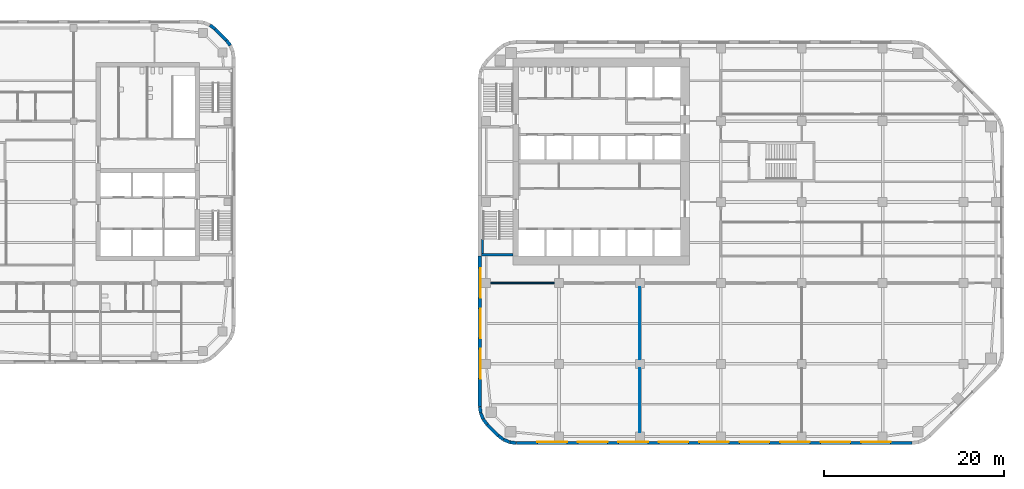
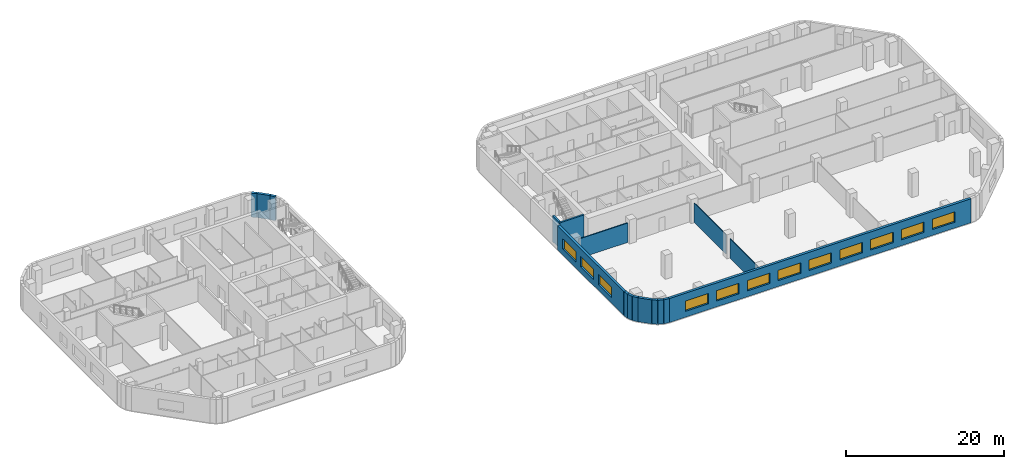
# One storey, part 8 of 15: 17 walls, 12 windows, 12 openings.
"""IFC4 building model written with IfcOpenShell, lengths in metres."""

from ifc_helpers import new_model, si_unit, direction, frame, frame_2d, origin, place, context, subcontext, project, spatial, rectangle, extrude, material, layer, layer_set, type_object, element, fill, save


model = new_model("IFC4")

# Units and contexts
model_context = context("Model", 3, precision=1e-05, world=origin(), true_north=direction((0.0, 1.0)))
body_context = subcontext(model_context, "Body", "Model", "MODEL_VIEW")
ifc_project = project(units=[si_unit("LENGTHUNIT", "METRE"), si_unit("AREAUNIT", "SQUARE_METRE"), si_unit("VOLUMEUNIT", "CUBIC_METRE"), si_unit("PLANEANGLEUNIT", "RADIAN"), si_unit("MASSUNIT", "GRAM", prefix="KILO")], contexts=[model_context])

# Site, building, storey
site_placement = place(None, origin())
site = spatial("IfcSite", under=ifc_project, at=site_placement, CompositionType="ELEMENT")
building_placement = place(site_placement, origin())
building = spatial("IfcBuilding", under=site, at=building_placement, Name="Cinnabar Reach Civic Tower", CompositionType="ELEMENT")
storey_placement = place(building_placement, frame((0.0, 0.0, 91.0)))
storey = spatial("IfcBuildingStorey", under=building, at=storey_placement, Name="L21", CompositionType="ELEMENT", Elevation=91.0)

# Walls
ifc_material_1 = material(Name="Facing brick with insulated backing", Category="masonry")
ifc_layer_1 = layer(ifc_material_1, 0.36)
ifc_layer_set_1 = layer_set([ifc_layer_1], Name="Brick corner wall")
wall_type_1 = type_object("IfcWallType", Name="Brick corner wall", PredefinedType="STANDARD", material=ifc_layer_set_1)
for number, where, z_axis, x_axis, name in (
    (1, (0.183, 4.2314, 0.0), (0.0, 0.0, 1.0), (0.13055608231, -0.99144092581, 0.0), "Brick corner wall"),
    (2, (0.2819, 3.5027, 0.0), (0.0, 0.0, 1.0), (0.382702709855, -0.923871547278, 0.0), "Brick corner wall"),
):
    element("IfcWall", number, at=place(storey_placement, frame(where, z_axis=z_axis, x_axis=x_axis)), inside=storey, type_object=wall_type_1, Name=name, PredefinedType="STANDARD", context=body_context, shape_type="SweptSolid", body=[
        extrude(rectangle(XDim=0.7131, YDim=0.36, at=frame_2d((0.3565, 0.0))), origin(), (0.0, 0.0, 1.0), 3.7),
    ])
for number, where, z_axis, x_axis, name in (
    (3, (0.566, 2.8245, 0.0), (0.0, 0.0, 1.0), (0.608802368033, -0.793321924995, 0.0), "Brick corner wall"),
    (4, (2.2587, 1.0002, 0.0), (0.0, 0.0, 1.0), (0.793321924995, -0.608802368033, 0.0), "Brick corner wall"),
):
    element("IfcWall", number, at=place(storey_placement, frame(where, z_axis=z_axis, x_axis=x_axis)), inside=storey, type_object=wall_type_1, Name=name, PredefinedType="STANDARD", context=body_context, shape_type="SweptSolid", body=[
        extrude(rectangle(XDim=0.7132, YDim=0.36, at=frame_2d((0.3566, 0.0))), origin(), (0.0, 0.0, 1.0), 3.7),
    ])
for number, where, z_axis, x_axis, name in (
    (5, (2.8439, 0.5548, 0.0), (0.0, 0.0, 1.0), (0.923871547278, -0.382702709855, 0.0), "Brick corner wall"),
    (6, (3.5244, 0.2761, 0.0), (0.0, 0.0, 1.0), (0.99144092581, -0.13055608231, 0.0), "Brick corner wall"),
):
    element("IfcWall", number, at=place(storey_placement, frame(where, z_axis=z_axis, x_axis=x_axis)), inside=storey, type_object=wall_type_1, Name=name, PredefinedType="STANDARD", context=body_context, shape_type="SweptSolid", body=[
        extrude(rectangle(XDim=0.7131, YDim=0.36, at=frame_2d((0.3565, 0.0))), origin(), (0.0, 0.0, 1.0), 3.7),
    ])
for number, where, z_axis, x_axis, name in (
    (7, (-27.566, 44.4255, 0.0), (0.0, 0.0, 1.0), (-0.608802368033, 0.793321924995, 0.0), "Brick corner wall"),
    (8, (-29.2587, 46.2498, 0.0), (0.0, 0.0, 1.0), (-0.793321924995, 0.608802368033, 0.0), "Brick corner wall"),
):
    element("IfcWall", number, at=place(storey_placement, frame(where, z_axis=z_axis, x_axis=x_axis)), inside=storey, type_object=wall_type_1, Name=name, PredefinedType="STANDARD", context=body_context, shape_type="SweptSolid", body=[
        extrude(rectangle(XDim=0.7132, YDim=0.36, at=frame_2d((0.3566, 0.0))), origin(), (0.0, 0.0, 1.0), 3.7),
    ])

# Wall, openings, windows
ifc_layer_2 = layer(ifc_material_1, 0.36)
ifc_layer_set_2 = layer_set([ifc_layer_2], Name="Brick pier and spandrel wall")
wall_type_2 = type_object("IfcWallType", Name="Brick pier and spandrel wall", PredefinedType="STANDARD", material=ifc_layer_set_2)
wall_1_placement = place(storey_placement, frame((4.2426, 0.18, 0.0), z_axis=(0.0, 0.0, 1.0), x_axis=(1.0, 0.0, 0.0)))
wall_1 = element("IfcWall", 9, at=wall_1_placement, inside=storey, type_object=wall_type_2, Name="Brick facade wall", PredefinedType="STANDARD", context=body_context, shape_type="SweptSolid", body=[
    extrude(rectangle(XDim=44.0148, YDim=0.36, at=frame_2d((22.0074, 0.0))), origin(), (0.0, 0.0, 1.0), 3.7),
])
opening_1_placement = place(wall_1_placement, frame((2.3574, 0.0, 0.9)))
opening_1 = element("IfcOpeningElement", 10, at=opening_1_placement, cuts=wall_1, Name="Opening W1429", PredefinedType="OPENING", context=body_context, shape_type="SweptSolid", body=[
    extrude(rectangle(XDim=3.3, YDim=1.6, at=frame_2d((1.65, 0.8))), frame((0.0, 0.19, 0.0), z_axis=(0.0, -1.0, 0.0), x_axis=(1.0, 0.0, 0.0)), (0.0, 0.0, 1.0), 0.38),
])
opening_2_placement = place(wall_1_placement, frame((6.8574, 0.0, 0.9)))
opening_2 = element("IfcOpeningElement", 11, at=opening_2_placement, cuts=wall_1, Name="Opening W1430", PredefinedType="OPENING", context=body_context, shape_type="SweptSolid", body=[
    extrude(rectangle(XDim=3.3, YDim=1.6, at=frame_2d((1.65, 0.8))), frame((0.0, 0.19, 0.0), z_axis=(0.0, -1.0, 0.0), x_axis=(1.0, 0.0, 0.0)), (0.0, 0.0, 1.0), 0.38),
])
opening_3_placement = place(wall_1_placement, frame((11.3574, 0.0, 0.9)))
opening_3 = element("IfcOpeningElement", 12, at=opening_3_placement, cuts=wall_1, Name="Opening W1431", PredefinedType="OPENING", context=body_context, shape_type="SweptSolid", body=[
    extrude(rectangle(XDim=3.3, YDim=1.6, at=frame_2d((1.65, 0.8))), frame((0.0, 0.19, 0.0), z_axis=(0.0, -1.0, 0.0), x_axis=(1.0, 0.0, 0.0)), (0.0, 0.0, 1.0), 0.38),
])
opening_4_placement = place(wall_1_placement, frame((15.8574, 0.0, 0.9)))
opening_4 = element("IfcOpeningElement", 13, at=opening_4_placement, cuts=wall_1, Name="Opening W1432", PredefinedType="OPENING", context=body_context, shape_type="SweptSolid", body=[
    extrude(rectangle(XDim=3.3, YDim=1.6, at=frame_2d((1.65, 0.8))), frame((0.0, 0.19, 0.0), z_axis=(0.0, -1.0, 0.0), x_axis=(1.0, 0.0, 0.0)), (0.0, 0.0, 1.0), 0.38),
])
opening_5_placement = place(wall_1_placement, frame((20.3574, 0.0, 0.9)))
opening_5 = element("IfcOpeningElement", 14, at=opening_5_placement, cuts=wall_1, Name="Opening W1433", PredefinedType="OPENING", context=body_context, shape_type="SweptSolid", body=[
    extrude(rectangle(XDim=3.3, YDim=1.6, at=frame_2d((1.65, 0.8))), frame((0.0, 0.19, 0.0), z_axis=(0.0, -1.0, 0.0), x_axis=(1.0, 0.0, 0.0)), (0.0, 0.0, 1.0), 0.38),
])
opening_6_placement = place(wall_1_placement, frame((24.8574, 0.0, 0.9)))
opening_6 = element("IfcOpeningElement", 15, at=opening_6_placement, cuts=wall_1, Name="Opening W1434", PredefinedType="OPENING", context=body_context, shape_type="SweptSolid", body=[
    extrude(rectangle(XDim=3.3, YDim=1.6, at=frame_2d((1.65, 0.8))), frame((0.0, 0.19, 0.0), z_axis=(0.0, -1.0, 0.0), x_axis=(1.0, 0.0, 0.0)), (0.0, 0.0, 1.0), 0.38),
])
opening_7_placement = place(wall_1_placement, frame((29.3574, 0.0, 0.9)))
opening_7 = element("IfcOpeningElement", 16, at=opening_7_placement, cuts=wall_1, Name="Opening W1435", PredefinedType="OPENING", context=body_context, shape_type="SweptSolid", body=[
    extrude(rectangle(XDim=3.3, YDim=1.6, at=frame_2d((1.65, 0.8))), frame((0.0, 0.19, 0.0), z_axis=(0.0, -1.0, 0.0), x_axis=(1.0, 0.0, 0.0)), (0.0, 0.0, 1.0), 0.38),
])
opening_8_placement = place(wall_1_placement, frame((33.8574, 0.0, 0.9)))
opening_8 = element("IfcOpeningElement", 17, at=opening_8_placement, cuts=wall_1, Name="Opening W1436", PredefinedType="OPENING", context=body_context, shape_type="SweptSolid", body=[
    extrude(rectangle(XDim=3.3, YDim=1.6, at=frame_2d((1.65, 0.8))), frame((0.0, 0.19, 0.0), z_axis=(0.0, -1.0, 0.0), x_axis=(1.0, 0.0, 0.0)), (0.0, 0.0, 1.0), 0.38),
])
opening_9_placement = place(wall_1_placement, frame((38.3574, 0.0, 0.9)))
opening_9 = element("IfcOpeningElement", 18, at=opening_9_placement, cuts=wall_1, Name="Opening W1437", PredefinedType="OPENING", context=body_context, shape_type="SweptSolid", body=[
    extrude(rectangle(XDim=3.3, YDim=1.6, at=frame_2d((1.65, 0.8))), frame((0.0, 0.19, 0.0), z_axis=(0.0, -1.0, 0.0), x_axis=(1.0, 0.0, 0.0)), (0.0, 0.0, 1.0), 0.38),
])
ifc_material_2 = material(Name="Clear double glazing in aluminium frame", Category="aluminium")
window_type = type_object("IfcWindowType", Name="Deep-set window A", PartitioningType="SINGLE_PANEL", PredefinedType="WINDOW", material=ifc_material_2)
window_1_placement = place(opening_1_placement, origin())
window_1 = element("IfcWindow", 19, at=window_1_placement, inside=storey, type_object=window_type, Name="Window south face", OverallHeight=1.6, OverallWidth=3.3, PartitioningType="SINGLE_PANEL", PredefinedType="WINDOW", context=body_context, shape_type="SweptSolid", body=[
    extrude(rectangle(XDim=3.3, YDim=1.6, at=frame_2d((1.65, 0.8))), frame((0.0, 0.13, 0.0), z_axis=(0.0, -1.0, 0.0), x_axis=(1.0, 0.0, 0.0)), (0.0, 0.0, 1.0), 0.06),
])
fill(opening_1, window_1)
window_2_placement = place(opening_2_placement, origin())
window_2 = element("IfcWindow", 20, at=window_2_placement, inside=storey, type_object=window_type, Name="Window south face", OverallHeight=1.6, OverallWidth=3.3, PartitioningType="SINGLE_PANEL", PredefinedType="WINDOW", context=body_context, shape_type="SweptSolid", body=[
    extrude(rectangle(XDim=3.3, YDim=1.6, at=frame_2d((1.65, 0.8))), frame((0.0, 0.13, 0.0), z_axis=(0.0, -1.0, 0.0), x_axis=(1.0, 0.0, 0.0)), (0.0, 0.0, 1.0), 0.06),
])
fill(opening_2, window_2)
window_3_placement = place(opening_3_placement, origin())
window_3 = element("IfcWindow", 21, at=window_3_placement, inside=storey, type_object=window_type, Name="Window south face", OverallHeight=1.6, OverallWidth=3.3, PartitioningType="SINGLE_PANEL", PredefinedType="WINDOW", context=body_context, shape_type="SweptSolid", body=[
    extrude(rectangle(XDim=3.3, YDim=1.6, at=frame_2d((1.65, 0.8))), frame((0.0, 0.13, 0.0), z_axis=(0.0, -1.0, 0.0), x_axis=(1.0, 0.0, 0.0)), (0.0, 0.0, 1.0), 0.06),
])
fill(opening_3, window_3)
window_4_placement = place(opening_4_placement, origin())
window_4 = element("IfcWindow", 22, at=window_4_placement, inside=storey, type_object=window_type, Name="Window south face", OverallHeight=1.6, OverallWidth=3.3, PartitioningType="SINGLE_PANEL", PredefinedType="WINDOW", context=body_context, shape_type="SweptSolid", body=[
    extrude(rectangle(XDim=3.3, YDim=1.6, at=frame_2d((1.65, 0.8))), frame((0.0, 0.13, 0.0), z_axis=(0.0, -1.0, 0.0), x_axis=(1.0, 0.0, 0.0)), (0.0, 0.0, 1.0), 0.06),
])
fill(opening_4, window_4)
window_5_placement = place(opening_5_placement, origin())
window_5 = element("IfcWindow", 23, at=window_5_placement, inside=storey, type_object=window_type, Name="Window south face", OverallHeight=1.6, OverallWidth=3.3, PartitioningType="SINGLE_PANEL", PredefinedType="WINDOW", context=body_context, shape_type="SweptSolid", body=[
    extrude(rectangle(XDim=3.3, YDim=1.6, at=frame_2d((1.65, 0.8))), frame((0.0, 0.13, 0.0), z_axis=(0.0, -1.0, 0.0), x_axis=(1.0, 0.0, 0.0)), (0.0, 0.0, 1.0), 0.06),
])
fill(opening_5, window_5)
window_6_placement = place(opening_6_placement, origin())
window_6 = element("IfcWindow", 24, at=window_6_placement, inside=storey, type_object=window_type, Name="Window south face", OverallHeight=1.6, OverallWidth=3.3, PartitioningType="SINGLE_PANEL", PredefinedType="WINDOW", context=body_context, shape_type="SweptSolid", body=[
    extrude(rectangle(XDim=3.3, YDim=1.6, at=frame_2d((1.65, 0.8))), frame((0.0, 0.13, 0.0), z_axis=(0.0, -1.0, 0.0), x_axis=(1.0, 0.0, 0.0)), (0.0, 0.0, 1.0), 0.06),
])
fill(opening_6, window_6)
window_7_placement = place(opening_7_placement, origin())
window_7 = element("IfcWindow", 25, at=window_7_placement, inside=storey, type_object=window_type, Name="Window south face", OverallHeight=1.6, OverallWidth=3.3, PartitioningType="SINGLE_PANEL", PredefinedType="WINDOW", context=body_context, shape_type="SweptSolid", body=[
    extrude(rectangle(XDim=3.3, YDim=1.6, at=frame_2d((1.65, 0.8))), frame((0.0, 0.13, 0.0), z_axis=(0.0, -1.0, 0.0), x_axis=(1.0, 0.0, 0.0)), (0.0, 0.0, 1.0), 0.06),
])
fill(opening_7, window_7)
window_8_placement = place(opening_8_placement, origin())
window_8 = element("IfcWindow", 26, at=window_8_placement, inside=storey, type_object=window_type, Name="Window south face", OverallHeight=1.6, OverallWidth=3.3, PartitioningType="SINGLE_PANEL", PredefinedType="WINDOW", context=body_context, shape_type="SweptSolid", body=[
    extrude(rectangle(XDim=3.3, YDim=1.6, at=frame_2d((1.65, 0.8))), frame((0.0, 0.13, 0.0), z_axis=(0.0, -1.0, 0.0), x_axis=(1.0, 0.0, 0.0)), (0.0, 0.0, 1.0), 0.06),
])
fill(opening_8, window_8)
window_9_placement = place(opening_9_placement, origin())
window_9 = element("IfcWindow", 27, at=window_9_placement, inside=storey, type_object=window_type, Name="Window south face", OverallHeight=1.6, OverallWidth=3.3, PartitioningType="SINGLE_PANEL", PredefinedType="WINDOW", context=body_context, shape_type="SweptSolid", body=[
    extrude(rectangle(XDim=3.3, YDim=1.6, at=frame_2d((1.65, 0.8))), frame((0.0, 0.13, 0.0), z_axis=(0.0, -1.0, 0.0), x_axis=(1.0, 0.0, 0.0)), (0.0, 0.0, 1.0), 0.06),
])
fill(opening_9, window_9)

wall_2_placement = place(storey_placement, frame((0.18, 21.0, 0.0), z_axis=(0.0, 0.0, 1.0), x_axis=(0.0, -1.0, 0.0)))
wall_2 = element("IfcWall", 28, at=wall_2_placement, inside=storey, type_object=wall_type_2, Name="Brick facade wall", PredefinedType="STANDARD", context=body_context, shape_type="SweptSolid", body=[
    extrude(rectangle(XDim=16.7574, YDim=0.36, at=frame_2d((8.3787, 0.0))), origin(), (0.0, 0.0, 1.0), 3.7),
])
opening_10_placement = place(wall_2_placement, frame((1.35, 0.0, 0.9)))
opening_10 = element("IfcOpeningElement", 29, at=opening_10_placement, cuts=wall_2, Name="Opening W1453", PredefinedType="OPENING", context=body_context, shape_type="SweptSolid", body=[
    extrude(rectangle(XDim=3.3, YDim=1.6, at=frame_2d((1.65, 0.8))), frame((0.0, 0.19, 0.0), z_axis=(0.0, -1.0, 0.0), x_axis=(1.0, 0.0, 0.0)), (0.0, 0.0, 1.0), 0.38),
])
opening_11_placement = place(wall_2_placement, frame((5.85, 0.0, 0.9)))
opening_11 = element("IfcOpeningElement", 30, at=opening_11_placement, cuts=wall_2, Name="Opening W1454", PredefinedType="OPENING", context=body_context, shape_type="SweptSolid", body=[
    extrude(rectangle(XDim=3.3, YDim=1.6, at=frame_2d((1.65, 0.8))), frame((0.0, 0.19, 0.0), z_axis=(0.0, -1.0, 0.0), x_axis=(1.0, 0.0, 0.0)), (0.0, 0.0, 1.0), 0.38),
])
opening_12_placement = place(wall_2_placement, frame((10.35, 0.0, 0.9)))
opening_12 = element("IfcOpeningElement", 31, at=opening_12_placement, cuts=wall_2, Name="Opening W1455", PredefinedType="OPENING", context=body_context, shape_type="SweptSolid", body=[
    extrude(rectangle(XDim=3.3, YDim=1.6, at=frame_2d((1.65, 0.8))), frame((0.0, 0.19, 0.0), z_axis=(0.0, -1.0, 0.0), x_axis=(1.0, 0.0, 0.0)), (0.0, 0.0, 1.0), 0.38),
])
window_10_placement = place(opening_10_placement, origin())
window_10 = element("IfcWindow", 32, at=window_10_placement, inside=storey, type_object=window_type, Name="Window west face", OverallHeight=1.6, OverallWidth=3.3, PartitioningType="SINGLE_PANEL", PredefinedType="WINDOW", context=body_context, shape_type="SweptSolid", body=[
    extrude(rectangle(XDim=3.3, YDim=1.6, at=frame_2d((1.65, 0.8))), frame((0.0, 0.13, 0.0), z_axis=(0.0, -1.0, 0.0), x_axis=(1.0, 0.0, 0.0)), (0.0, 0.0, 1.0), 0.06),
])
fill(opening_10, window_10)
window_11_placement = place(opening_11_placement, origin())
window_11 = element("IfcWindow", 33, at=window_11_placement, inside=storey, type_object=window_type, Name="Window west face", OverallHeight=1.6, OverallWidth=3.3, PartitioningType="SINGLE_PANEL", PredefinedType="WINDOW", context=body_context, shape_type="SweptSolid", body=[
    extrude(rectangle(XDim=3.3, YDim=1.6, at=frame_2d((1.65, 0.8))), frame((0.0, 0.13, 0.0), z_axis=(0.0, -1.0, 0.0), x_axis=(1.0, 0.0, 0.0)), (0.0, 0.0, 1.0), 0.06),
])
fill(opening_11, window_11)
window_12_placement = place(opening_12_placement, origin())
window_12 = element("IfcWindow", 34, at=window_12_placement, inside=storey, type_object=window_type, Name="Window west face", OverallHeight=1.6, OverallWidth=3.3, PartitioningType="SINGLE_PANEL", PredefinedType="WINDOW", context=body_context, shape_type="SweptSolid", body=[
    extrude(rectangle(XDim=3.3, YDim=1.6, at=frame_2d((1.65, 0.8))), frame((0.0, 0.13, 0.0), z_axis=(0.0, -1.0, 0.0), x_axis=(1.0, 0.0, 0.0)), (0.0, 0.0, 1.0), 0.06),
])
fill(opening_12, window_12)

# Walls
for number, where, z_axis, x_axis, name in (
    (35, (1.006, 2.2486, 0.0), (0.0, 0.0, 1.0), (0.707106781187, -0.707106781187, 0.0), "Brick facade wall"),
    (36, (-28.006, 45.0014, 0.0), (0.0, 0.0, 1.0), (-0.707106781187, 0.707106781187, 0.0), "Brick facade wall"),
):
    element("IfcWall", number, at=place(storey_placement, frame(where, z_axis=z_axis, x_axis=x_axis)), inside=storey, type_object=wall_type_2, Name=name, PredefinedType="STANDARD", context=body_context, shape_type="SweptSolid", body=[
        extrude(rectangle(XDim=1.7573, YDim=0.36, at=frame_2d((0.8787, 0.0))), origin(), (0.0, 0.0, 1.0), 3.7),
    ])
ifc_material_3 = material(Name="Gypsum board on steel studs, double layer", Category="steel")
ifc_layer_3 = layer(ifc_material_3, 0.15)
ifc_layer_set_3 = layer_set([ifc_layer_3], Name="Corridor wall 150 T1")
wall_type_3 = type_object("IfcWallType", Name="Corridor wall 150 T1", PredefinedType="PARTITIONING", material=ifc_layer_set_3)
wall_3_placement = place(storey_placement, frame((1.4, 18.0, 0.0), z_axis=(0.0, 0.0, 1.0), x_axis=(1.0, 0.0, 0.0)))
element("IfcWall", 37, at=wall_3_placement, inside=storey, type_object=wall_type_3, Name="Corridor wall 25", PredefinedType="PARTITIONING", context=body_context, shape_type="SweptSolid", body=[
    extrude(rectangle(XDim=7.1, YDim=0.15, at=frame_2d((3.55, 0.0))), origin(), (0.0, 0.0, 1.0), 3.0),
])
ifc_material_4 = material(Name="Gypsum board on steel studs", Category="steel")
ifc_layer_4 = layer(ifc_material_4, 0.1)
ifc_layer_set_4 = layer_set([ifc_layer_4], Name="Partition wall 100 T1")
wall_type_4 = type_object("IfcWallType", Name="Partition wall 100 T1", PredefinedType="PARTITIONING", material=ifc_layer_set_4)
wall_4_placement = place(storey_placement, frame((18.0, 1.4, 0.0), z_axis=(0.0, 0.0, 1.0), x_axis=(0.0, 1.0, 0.0)))
element("IfcWall", 38, at=wall_4_placement, inside=storey, type_object=wall_type_4, Name="Partition wall 44", PredefinedType="PARTITIONING", context=body_context, shape_type="SweptSolid", body=[
    extrude(rectangle(XDim=7.1, YDim=0.1, at=frame_2d((3.55, 0.0))), origin(), (0.0, 0.0, 1.0), 3.008),
])
wall_5_placement = place(storey_placement, frame((18.0, 9.5, 0.0), z_axis=(0.0, 0.0, 1.0), x_axis=(0.0, 1.0, 0.0)))
element("IfcWall", 39, at=wall_5_placement, inside=storey, type_object=wall_type_4, Name="Partition wall 45", PredefinedType="PARTITIONING", context=body_context, shape_type="SweptSolid", body=[
    extrude(rectangle(XDim=8.0, YDim=0.1, at=frame_2d((4.0, 0.0))), origin(), (0.0, 0.0, 1.0), 3.008),
])
ifc_material_5 = material(Name="Concrete C60", Category="concrete")
ifc_layer_5 = layer(ifc_material_5, 0.25)
ifc_layer_set_5 = layer_set([ifc_layer_5], Name="Stair shaft wall 250 EI 120")
wall_type_5 = type_object("IfcWallType", Name="Stair shaft wall 250 EI 120", PredefinedType="SOLIDWALL", material=ifc_layer_set_5)
wall_6_placement = place(storey_placement, frame((0.36, 21.125, 0.0), z_axis=(0.0, 0.0, 1.0), x_axis=(1.0, 0.0, 0.0)))
element("IfcWall", 40, at=wall_6_placement, inside=storey, type_object=wall_type_5, Name="Stair shaft wall T1-S1 L21", PredefinedType="SOLIDWALL", context=body_context, shape_type="SweptSolid", body=[
    extrude(rectangle(XDim=3.54, YDim=0.25, at=frame_2d((1.77, 0.0))), origin(), (0.0, 0.0, 1.0), 4.0),
])
ifc_material_6 = material(Name="Concrete C40/50", Category="concrete")
ifc_layer_6 = layer(ifc_material_6, 0.24)
ifc_layer_set_6 = layer_set([ifc_layer_6], Name="T1 landing bearer wall 240")
wall_type_6 = type_object("IfcWallType", Name="T1 landing bearer wall 240", PredefinedType="STANDARD", material=ifc_layer_set_6)
wall_7_placement = place(storey_placement, frame((0.48, 21.25, 0.0), z_axis=(0.0, 0.0, 1.0), x_axis=(0.0, 1.0, 0.0)))
element("IfcWall", 41, at=wall_7_placement, inside=storey, type_object=wall_type_6, Name="T1-S1 landing bearer wall", PredefinedType="STANDARD", context=body_context, shape_type="SweptSolid", body=[
    extrude(rectangle(XDim=1.62, YDim=0.24, at=frame_2d((0.81, 0.0))), origin(), (0.0, 0.0, 1.0), 4.0),
])

save(model, "model.ifc")
